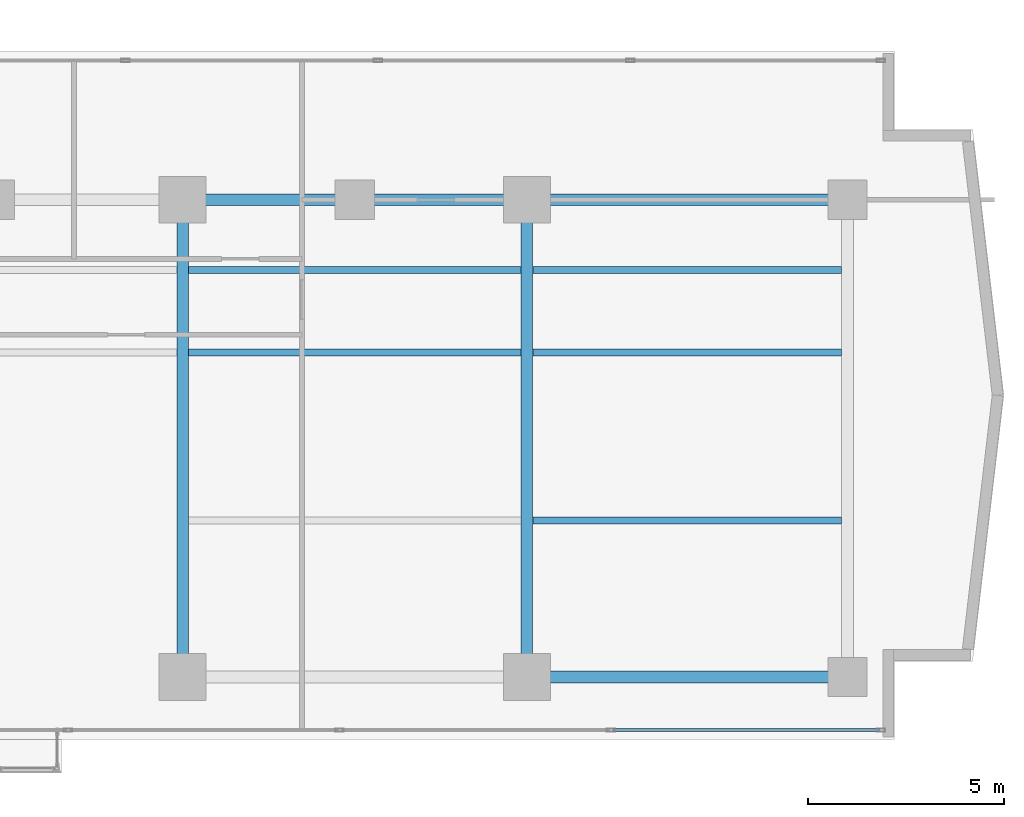
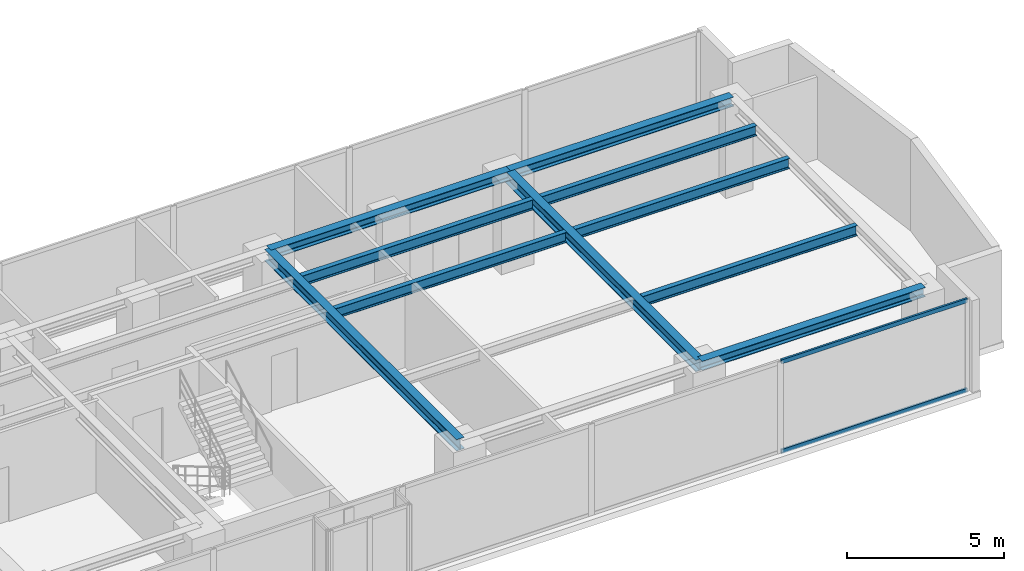
# One storey, part 11 of 24: 10 beams, 2 members, 1 element without a shape of its own.
"""IFC4 building model written with IfcOpenShell, lengths in metres."""

from ifc_helpers import new_model, si_unit, direction, frame, origin, origin_with_axes, origin_2d, place, context, subcontext, project, spatial, hollow_rectangle, i_section, extrude, source, transform, mapped, material, layer, layer_set, material_profile, profile_set, type_object, element, aggregate, save


model = new_model("IFC4")

# Units and contexts
model_context = context("Model", 3, precision=1e-05, world=origin(), true_north=direction((0.0, 1.0)))
body_context = subcontext(model_context, "Body", "Model", "MODEL_VIEW")
ifc_project = project(units=[si_unit("LENGTHUNIT", "METRE"), si_unit("AREAUNIT", "SQUARE_METRE"), si_unit("VOLUMEUNIT", "CUBIC_METRE"), si_unit("PLANEANGLEUNIT", "RADIAN"), si_unit("MASSUNIT", "GRAM", prefix="KILO")], contexts=[model_context])

# Site, building, storey
site_placement = place(None, origin())
site = spatial("IfcSite", under=ifc_project, at=site_placement, CompositionType="ELEMENT")
building_placement = place(site_placement, origin())
building = spatial("IfcBuilding", under=site, at=building_placement, Name="Kolvaren Waterfront Exchange", CompositionType="ELEMENT")
storey_placement = place(building_placement, frame((0.0, 0.0, 157.60009765625)))
storey = spatial("IfcBuildingStorey", under=building, at=storey_placement, Name="L40", CompositionType="ELEMENT", Elevation=157.60009765625)

# Beams
ifc_material_1 = material(Name="Steel S355", Category="steel")
ifc_material_profile_1 = material_profile(ifc_material_1, i_section(OverallWidth=0.300048828125, OverallDepth=0.360107421875, WebThickness=0.012451171875, FlangeThickness=0.0224609375, FilletRadius=0.027099609375, at=origin_2d()), Name="HEB360")
ifc_profile_set_1 = profile_set([ifc_material_profile_1], Name="Steel S355")
beam_type_1 = type_object("IfcBeamType", Name="STR-BM-HEB360", PredefinedType="SPANDREL", material=ifc_profile_set_1)
beam_1_placement = place(storey_placement, frame((45.60009765625, 5.199951171875, 3.3798828125), z_axis=(1.0, 0.0, 0.0), x_axis=(0.0, 1.0, 0.0)))
element("IfcBeam", 1, at=beam_1_placement, inside=storey, type_object=beam_type_1, Name="L40 east-arm spandrel S4", PredefinedType="SPANDREL", context=body_context, shape_type="SweptSolid", body=[
    extrude(i_section(OverallWidth=0.300048828125, OverallDepth=0.360107421875, WebThickness=0.012451171875, FlangeThickness=0.0224609375, FilletRadius=0.027099609375, at=origin_2d()), origin(), (0.0, 0.0, 1.0), 8.199951171875),
])
beam_2_placement = place(storey_placement, frame((36.800048828125, 17.39990234375, 3.3798828125), z_axis=(1.0, 0.0, 0.0), x_axis=(0.0, 1.0, 0.0)))
element("IfcBeam", 2, at=beam_2_placement, inside=storey, type_object=beam_type_1, Name="L40 east-arm spandrel N3", PredefinedType="SPANDREL", context=body_context, shape_type="SweptSolid", body=[
    extrude(i_section(OverallWidth=0.300048828125, OverallDepth=0.360107421875, WebThickness=0.012451171875, FlangeThickness=0.0224609375, FilletRadius=0.027099609375, at=origin_2d()), origin(), (0.0, 0.0, 1.0), 8.800048828125),
])
beam_3_placement = place(storey_placement, frame((45.60009765625, 17.39990234375, 3.3798828125), z_axis=(1.0, 0.0, 0.0), x_axis=(0.0, 1.0, 0.0)))
element("IfcBeam", 3, at=beam_3_placement, inside=storey, type_object=beam_type_1, Name="L40 east-arm spandrel N4", PredefinedType="SPANDREL", context=body_context, shape_type="SweptSolid", body=[
    extrude(i_section(OverallWidth=0.300048828125, OverallDepth=0.360107421875, WebThickness=0.012451171875, FlangeThickness=0.0224609375, FilletRadius=0.027099609375, at=origin_2d()), origin(), (0.0, 0.0, 1.0), 8.199951171875),
])
ifc_material_profile_2 = material_profile(ifc_material_1, i_section(OverallWidth=0.300048828125, OverallDepth=0.449951171875, WebThickness=0.013916015625, FlangeThickness=0.02587890625, FilletRadius=0.027099609375, at=origin_2d()), Name="HEB450")
ifc_profile_set_2 = profile_set([ifc_material_profile_2], Name="Steel S355")
beam_type_2 = type_object("IfcBeamType", Name="STR-BM-HEB450", PredefinedType="BEAM", material=ifc_profile_set_2)
for number, where, z_axis, x_axis, name in (
    (4, (36.800048828125, 5.199951171875, 3.3349609375), (0.0, 1.0, 0.0), (-1.0, 0.0, 0.0), "L40 east-arm transverse girder X36"),
    (5, (45.60009765625, 5.199951171875, 3.3349609375), (0.0, 1.0, 0.0), (-1.0, 0.0, 0.0), "L40 east-arm transverse girder X45"),
):
    element("IfcBeam", number, at=place(storey_placement, frame(where, z_axis=z_axis, x_axis=x_axis)), inside=storey, type_object=beam_type_2, Name=name, PredefinedType="BEAM", context=body_context, shape_type="SweptSolid", body=[
        extrude(i_section(OverallWidth=0.300048828125, OverallDepth=0.449951171875, WebThickness=0.013916015625, FlangeThickness=0.02587890625, FilletRadius=0.027099609375, at=origin_2d()), origin(), (0.0, 0.0, 1.0), 12.199951171875),
    ])
ifc_material_profile_3 = material_profile(ifc_material_1, i_section(OverallWidth=0.179931640625, OverallDepth=0.39990234375, WebThickness=0.008544921875, FlangeThickness=0.013427734375, FilletRadius=0.02099609375, at=origin_2d()), Name="IPE400")
ifc_profile_set_3 = profile_set([ifc_material_profile_3], Name="Steel S355")
beam_type_3 = type_object("IfcBeamType", Name="STR-BM-IPE400", PredefinedType="JOIST", material=ifc_profile_set_3)
for number, where, z_axis, x_axis, name in (
    (6, (36.951904296875, 13.5, 3.35986328125), (1.0, 0.0, 0.0), (0.0, 1.0, 0.0), "L40 east-arm composite joist 3A"),
    (7, (36.951904296875, 15.60009765625, 3.35986328125), (1.0, 0.0, 0.0), (0.0, 1.0, 0.0), "L40 east-arm composite joist 3C"),
):
    element("IfcBeam", number, at=place(storey_placement, frame(where, z_axis=z_axis, x_axis=x_axis)), inside=storey, type_object=beam_type_3, Name=name, PredefinedType="JOIST", context=body_context, shape_type="SweptSolid", body=[
        extrude(i_section(OverallWidth=0.179931640625, OverallDepth=0.39990234375, WebThickness=0.008544921875, FlangeThickness=0.013427734375, FilletRadius=0.02099609375, at=origin_2d()), origin(), (0.0, 0.0, 1.0), 8.49609375),
    ])
for number, where, z_axis, x_axis, name in (
    (8, (45.751953125, 13.5, 3.35986328125), (1.0, 0.0, 0.0), (0.0, 1.0, 0.0), "L40 east-arm composite joist 4A"),
    (9, (45.751953125, 15.60009765625, 3.35986328125), (1.0, 0.0, 0.0), (0.0, 1.0, 0.0), "L40 east-arm composite joist 4C"),
    (10, (45.751953125, 9.199951171875, 3.35986328125), (1.0, 0.0, 0.0), (0.0, 1.0, 0.0), "L40 east-arm composite joist 4B"),
):
    element("IfcBeam", number, at=place(storey_placement, frame(where, z_axis=z_axis, x_axis=x_axis)), inside=storey, type_object=beam_type_3, Name=name, PredefinedType="JOIST", context=body_context, shape_type="SweptSolid", body=[
        extrude(i_section(OverallWidth=0.179931640625, OverallDepth=0.39990234375, WebThickness=0.008544921875, FlangeThickness=0.013427734375, FilletRadius=0.02099609375, at=origin_2d()), origin(), (0.0, 0.0, 1.0), 7.89599609375),
    ])

# Curtain wall, members
ifc_material_2 = material(Name="Anodised bronze aluminium 6063-T6", Category="aluminium")
ifc_layer = layer(ifc_material_2, 0.219970703125, Name="Anodised bronze aluminium 6063-T6")
ifc_layer_set = layer_set([ifc_layer], Name="Anodised bronze aluminium 6063-T6")
curtain_wall_type = type_object("IfcCurtainWallType", Name="ARC-CW-SYS1", PredefinedType="USERDEFINED", material=ifc_layer_set)
curtain_wall_placement = place(storey_placement, origin())
curtain_wall = element("IfcCurtainWall", 11, at=curtain_wall_placement, inside=storey, type_object=curtain_wall_type, Name="L40 stick curtain wall CW1 (CW-L40-S)", ObjectType="STICK CURTAIN WALL", PredefinedType="USERDEFINED")
ifc_material_3 = material(Name="Anodised aluminium 6063-T6", Category="aluminium")
ifc_material_profile_4 = material_profile(ifc_material_3, hollow_rectangle(XDim=0.074951171875, YDim=0.159912109375, WallThickness=0.00439453125, at=origin_2d()), Name="ALU-TRN-160x75x4.5")
ifc_profile_set_4 = profile_set([ifc_material_profile_4], Name="Anodised aluminium 6063-T6")
member_type = type_object("IfcMemberType", Name="ARC-CWT-160", PredefinedType="USERDEFINED", material=ifc_profile_set_4)
shared_shape = source(origin_with_axes(), body_context, "Body", "SweptSolid", [
    extrude(hollow_rectangle(XDim=0.074951171875, YDim=0.159912109375, WallThickness=0.00439453125, at=origin_2d()), origin(), (0.0, 0.0, 1.0), 6.822998046875),
])
member_1_placement = place(storey_placement, frame((47.797119140625, 3.840087890625, 0.037353515625), z_axis=(1.0, 0.0, 0.0), x_axis=(0.0, 1.0, 0.0)))
member_1 = element("IfcMember", 12, at=member_1_placement, type_object=member_type, Name="CW1 transom 7.1", ObjectType="TRANSOM", PredefinedType="USERDEFINED", context=body_context, shape_type="MappedRepresentation", body=[
    mapped(shared_shape, transform((0.0, 0.0, 0.0), x_axis=(1.0, 0.0, 0.0), y_axis=(0.0, 1.0, 0.0), z_axis=(0.0, 0.0, 1.0), scale=1.0)),
])
member_2_placement = place(storey_placement, frame((47.797119140625, 3.840087890625, 3.5224609375), z_axis=(1.0, 0.0, 0.0), x_axis=(0.0, 1.0, 0.0)))
member_2 = element("IfcMember", 13, at=member_2_placement, type_object=member_type, Name="CW1 transom 7.2", ObjectType="TRANSOM", PredefinedType="USERDEFINED", context=body_context, shape_type="MappedRepresentation", body=[
    mapped(shared_shape, transform((0.0, 0.0, 0.0), x_axis=(1.0, 0.0, 0.0), y_axis=(0.0, 1.0, 0.0), z_axis=(0.0, 0.0, 1.0), scale=1.0)),
])
aggregate(curtain_wall, [member_1, member_2])

save(model, "model.ifc")
